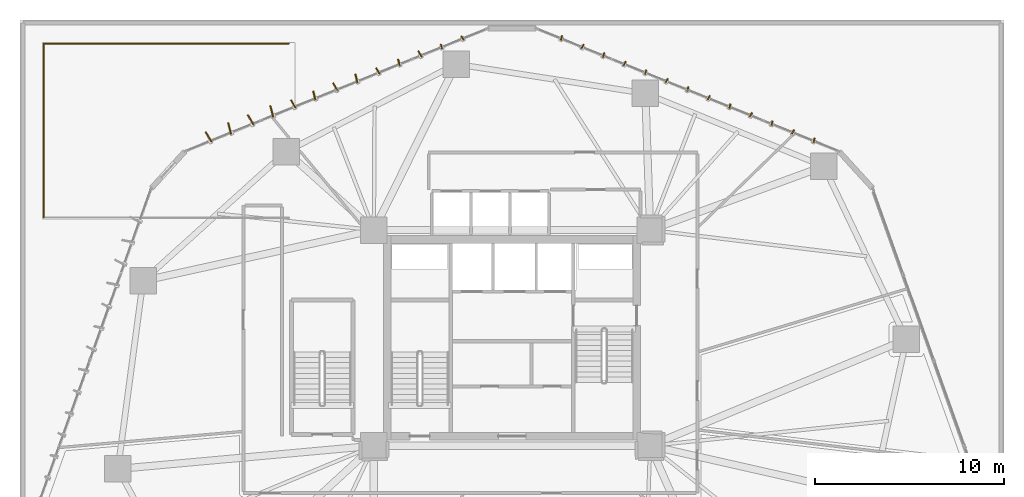
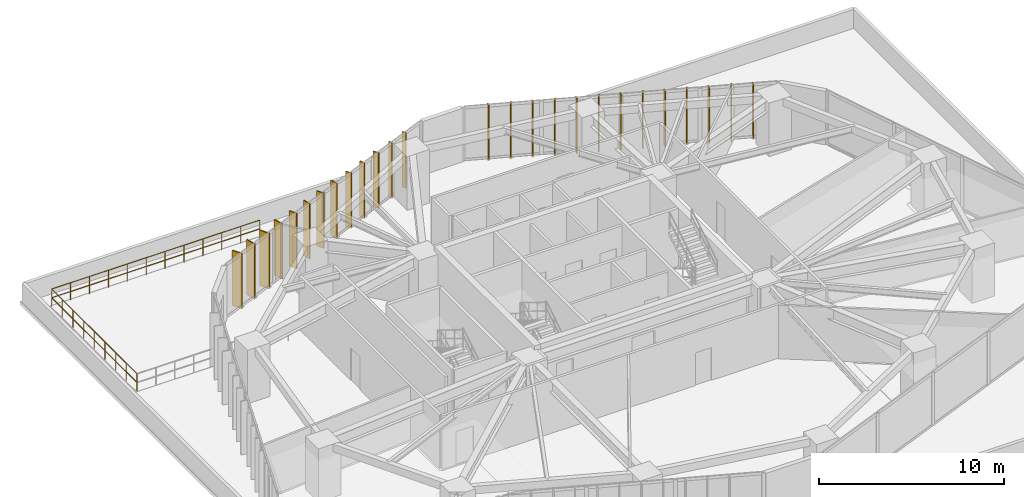
# One storey, part 23 of 23: 26 shading devices, 2 railings.
"""IFC4 building model written with IfcOpenShell, lengths in metres."""

from ifc_helpers import new_model, si_unit, direction, frame, origin, origin_2d, place, context, subcontext, project, spatial, rectangle, circle, extrude, source, transform, mapped, material, layer, layer_set, type_object, type_shapes, element, save


model = new_model("IFC4")

# Units and contexts
model_context = context("Model", 3, precision=1e-05, world=origin(), true_north=direction((0.0, 1.0)))
body_context = subcontext(model_context, "Body", "Model", "MODEL_VIEW")
ifc_project = project(units=[si_unit("LENGTHUNIT", "METRE"), si_unit("AREAUNIT", "SQUARE_METRE"), si_unit("VOLUMEUNIT", "CUBIC_METRE"), si_unit("PLANEANGLEUNIT", "RADIAN"), si_unit("MASSUNIT", "GRAM", prefix="KILO")], contexts=[model_context])

# Site, building, storey
site_placement = place(None, origin())
site = spatial("IfcSite", under=ifc_project, at=site_placement, CompositionType="ELEMENT")
building_placement = place(site_placement, origin())
building = spatial("IfcBuilding", under=site, at=building_placement, Name="Talar Marvaseh", CompositionType="ELEMENT")
storey_placement = place(building_placement, frame((0.0, 0.0, 24.0)))
storey = spatial("IfcBuildingStorey", under=building, at=storey_placement, Name="L05", CompositionType="ELEMENT", Elevation=24.0)

# Railings
ifc_material_1 = material(Name="Tempered Clear Glass", Category="glass")
railing_type = type_object("IfcRailingType", Name="External Laminated Glass Terrace Balustrade 1150", PredefinedType="BALUSTRADE", material=ifc_material_1)
railing_1_placement = place(storey_placement, frame((1.25, 37.550048828125, 0.0)))
element("IfcRailing", 1, at=railing_1_placement, inside=storey, type_object=railing_type, Name="L05 Podium Roof Garden Terrace Balustrade 2", PredefinedType="BALUSTRADE", context=body_context, shape_type="SweptSolid", body=[
    extrude(circle(Radius=0.02392578125, at=origin_2d()), frame((0.0, 0.0, 1.1259765625), z_axis=(0.0, 1.0, 0.0), x_axis=(-1.0, 0.0, 0.0)), (0.0, 0.0, 1.0), 9.199951171875),
    extrude(circle(Radius=0.02392578125, at=origin_2d()), frame((0.0, 0.0, 0.55078125), z_axis=(0.0, 1.0, 0.0), x_axis=(-1.0, 0.0, 0.0)), (0.0, 0.0, 1.0), 9.199951171875),
    extrude(circle(Radius=0.02099609375, at=origin_2d()), origin(), (0.0, 0.0, 1.0), 1.101806640625),
    extrude(circle(Radius=0.02099609375, at=origin_2d()), frame((0.0, 1.14990234375, 0.0)), (0.0, 0.0, 1.0), 1.101806640625),
    extrude(circle(Radius=0.02099609375, at=origin_2d()), frame((0.0, 2.300048828125, 0.0)), (0.0, 0.0, 1.0), 1.101806640625),
    extrude(circle(Radius=0.02099609375, at=origin_2d()), frame((0.0, 3.449951171875, 0.0)), (0.0, 0.0, 1.0), 1.101806640625),
    extrude(circle(Radius=0.02099609375, at=origin_2d()), frame((0.0, 4.60009765625, 0.0)), (0.0, 0.0, 1.0), 1.101806640625),
    extrude(circle(Radius=0.02099609375, at=origin_2d()), frame((0.0, 5.75, 0.0)), (0.0, 0.0, 1.0), 1.101806640625),
    extrude(circle(Radius=0.02099609375, at=origin_2d()), frame((0.0, 6.89990234375, 0.0)), (0.0, 0.0, 1.0), 1.101806640625),
    extrude(circle(Radius=0.02099609375, at=origin_2d()), frame((0.0, 8.050048828125, 0.0)), (0.0, 0.0, 1.0), 1.101806640625),
    extrude(circle(Radius=0.02099609375, at=origin_2d()), frame((0.0, 9.199951171875, 0.0)), (0.0, 0.0, 1.0), 1.101806640625),
])
railing_2_placement = place(storey_placement, frame((1.25, 46.75, 0.0)))
element("IfcRailing", 2, at=railing_2_placement, inside=storey, type_object=railing_type, Name="L05 Podium Roof Garden Terrace Balustrade 3", PredefinedType="BALUSTRADE", context=body_context, shape_type="SweptSolid", body=[
    extrude(circle(Radius=0.02392578125, at=origin_2d()), frame((0.0, 0.0, 1.1259765625), z_axis=(1.0, 0.0, 0.0), x_axis=(0.0, 1.0, 0.0)), (0.0, 0.0, 1.0), 12.949951171875),
    extrude(circle(Radius=0.02392578125, at=origin_2d()), frame((0.0, 0.0, 0.55078125), z_axis=(1.0, 0.0, 0.0), x_axis=(0.0, 1.0, 0.0)), (0.0, 0.0, 1.0), 12.949951171875),
    extrude(circle(Radius=0.02099609375, at=origin_2d()), origin(), (0.0, 0.0, 1.0), 1.101806640625),
    extrude(circle(Radius=0.02099609375, at=origin_2d()), frame((1.17724609375, 0.0, 0.0)), (0.0, 0.0, 1.0), 1.101806640625),
    extrude(circle(Radius=0.02099609375, at=origin_2d()), frame((2.3544921875, 0.0, 0.0)), (0.0, 0.0, 1.0), 1.101806640625),
    extrude(circle(Radius=0.02099609375, at=origin_2d()), frame((3.53173828125, 0.0, 0.0)), (0.0, 0.0, 1.0), 1.101806640625),
    extrude(circle(Radius=0.02099609375, at=origin_2d()), frame((4.708984375, 0.0, 0.0)), (0.0, 0.0, 1.0), 1.101806640625),
    extrude(circle(Radius=0.02099609375, at=origin_2d()), frame((5.88623046875, 0.0, 0.0)), (0.0, 0.0, 1.0), 1.101806640625),
    extrude(circle(Radius=0.02099609375, at=origin_2d()), frame((7.063720703125, 0.0, 0.0)), (0.0, 0.0, 1.0), 1.101806640625),
    extrude(circle(Radius=0.02099609375, at=origin_2d()), frame((8.240966796875, 0.0, 0.0)), (0.0, 0.0, 1.0), 1.101806640625),
    extrude(circle(Radius=0.02099609375, at=origin_2d()), frame((9.418212890625, 0.0, 0.0)), (0.0, 0.0, 1.0), 1.101806640625),
    extrude(circle(Radius=0.02099609375, at=origin_2d()), frame((10.595458984375, 0.0, 0.0)), (0.0, 0.0, 1.0), 1.101806640625),
    extrude(circle(Radius=0.02099609375, at=origin_2d()), frame((11.772705078125, 0.0, 0.0)), (0.0, 0.0, 1.0), 1.101806640625),
    extrude(circle(Radius=0.02099609375, at=origin_2d()), frame((12.949951171875, 0.0, 0.0)), (0.0, 0.0, 1.0), 1.101806640625),
])

# Shading devices
ifc_material_2 = material(Name="Anodised Champagne Bronze Aluminium", Category="aluminium")
ifc_layer_1 = layer(ifc_material_2, 0.06494140625)
ifc_layer_set_1 = layer_set([ifc_layer_1], Name="Anodised Champagne Bronze Aluminium")
shading_device_type_1 = type_object("IfcShadingDeviceType", Name="Sawtooth Champagne Bronze Vertical Fin 240", PredefinedType="USERDEFINED", material=ifc_layer_set_1)
shared_shape_1 = source(origin(), body_context, "Body", "SweptSolid", [
    extrude(rectangle(XDim=0.239990234375, YDim=0.06494140625, at=origin_2d()), origin(), (0.0, 0.0, 1.0), 3.639892578125),
])
type_shapes(shading_device_type_1, [shared_shape_1])
for number, where, z_axis, x_axis, name in (
    (3, (22.27099609375, 46.6015625, -0.1201171875), (0.0, 0.0, 1.0), (-0.243107154615, 0.969999438853, 0.0), "L05 Sawtooth Vertical Solar Fin"),
    (4, (23.383056640625, 47.052490234375, -0.1201171875), (0.0, 0.0, 1.0), (-0.50105767621, 0.865413892373, 0.0), "L05 Sawtooth Vertical Solar Fin"),
    (5, (28.616943359375, 47.052490234375, -0.1201171875), (0.0, 0.0, 1.0), (0.243107154615, 0.969999438853, 0.0), "L05 Sawtooth Vertical Solar Fin"),
    (6, (29.72900390625, 46.6015625, -0.1201171875), (0.0, 0.0, 1.0), (0.50105767621, 0.865413892373, 0.0), "L05 Sawtooth Vertical Solar Fin"),
    (7, (30.841064453125, 46.150634765625, -0.1201171875), (0.0, 0.0, 1.0), (0.243107154615, 0.969999438853, 0.0), "L05 Sawtooth Vertical Solar Fin"),
    (8, (31.953125, 45.69970703125, -0.1201171875), (0.0, 0.0, 1.0), (0.50105767621, 0.865413892373, 0.0), "L05 Sawtooth Vertical Solar Fin"),
    (9, (33.065185546875, 45.2490234375, -0.1201171875), (0.0, 0.0, 1.0), (0.243107154615, 0.969999438853, 0.0), "L05 Sawtooth Vertical Solar Fin"),
    (10, (34.177490234375, 44.798095703125, -0.1201171875), (0.0, 0.0, 1.0), (0.50105767621, 0.865413892373, 0.0), "L05 Sawtooth Vertical Solar Fin"),
    (11, (35.289306640625, 44.347412109375, -0.1201171875), (0.0, 0.0, 1.0), (0.243107154615, 0.969999438853, 0.0), "L05 Sawtooth Vertical Solar Fin"),
    (12, (36.401611328125, 43.896484375, -0.1201171875), (0.0, 0.0, 1.0), (0.50105767621, 0.865413892373, 0.0), "L05 Sawtooth Vertical Solar Fin"),
    (13, (37.513671875, 43.445556640625, -0.1201171875), (0.0, 0.0, 1.0), (0.243107154615, 0.969999438853, 0.0), "L05 Sawtooth Vertical Solar Fin"),
    (14, (38.625732421875, 42.994873046875, -0.1201171875), (0.0, 0.0, 1.0), (0.50105767621, 0.865413892373, 0.0), "L05 Sawtooth Vertical Solar Fin"),
    (15, (39.73779296875, 42.5439453125, -0.1201171875), (0.0, 0.0, 1.0), (0.243107154615, 0.969999438853, 0.0), "L05 Sawtooth Vertical Solar Fin"),
    (16, (40.849853515625, 42.093017578125, -0.1201171875), (0.0, 0.0, 1.0), (0.50105767621, 0.865413892373, 0.0), "L05 Sawtooth Vertical Solar Fin"),
    (17, (41.9619140625, 41.64208984375, -0.1201171875), (0.0, 0.0, 1.0), (0.243107154615, 0.969999438853, 0.0), "L05 Sawtooth Vertical Solar Fin"),
):
    element("IfcShadingDevice", number, at=place(storey_placement, frame(where, z_axis=z_axis, x_axis=x_axis)), inside=storey, type_object=shading_device_type_1, Name=name, ObjectType="FIN", PredefinedType="USERDEFINED", context=body_context, shape_type="MappedRepresentation", body=[
        mapped(shared_shape_1, transform((0.0, 0.0, 0.0), x_axis=(1.0, 0.0, 0.0), y_axis=(0.0, 1.0, 0.0), z_axis=(0.0, 0.0, 1.0), scale=1.0)),
    ])
ifc_layer_2 = layer(ifc_material_2, 0.06494140625)
ifc_layer_set_2 = layer_set([ifc_layer_2], Name="Anodised Champagne Bronze Aluminium")
shading_device_type_2 = type_object("IfcShadingDeviceType", Name="Sawtooth Champagne Bronze Vertical Fin 360", PredefinedType="USERDEFINED", material=ifc_layer_set_2)
shared_shape_2 = source(origin(), body_context, "Body", "SweptSolid", [
    extrude(rectangle(XDim=0.360107421875, YDim=0.06494140625, at=origin_2d()), origin(), (0.0, 0.0, 1.0), 3.639892578125),
])
type_shapes(shading_device_type_2, [shared_shape_2])
for number, where, z_axis, x_axis, name in (
    (18, (18.912109375, 45.3046875, -0.1201171875), (0.0, 0.0, 1.0), (-0.50105767621, 0.865413892373, 0.0), "L05 Sawtooth Vertical Solar Fin"),
    (19, (20.0244140625, 45.755615234375, -0.1201171875), (0.0, 0.0, 1.0), (-0.243107154615, 0.969999438853, 0.0), "L05 Sawtooth Vertical Solar Fin"),
    (20, (21.136474609375, 46.206298828125, -0.1201171875), (0.0, 0.0, 1.0), (-0.50105767621, 0.865413892373, 0.0), "L05 Sawtooth Vertical Solar Fin"),
):
    element("IfcShadingDevice", number, at=place(storey_placement, frame(where, z_axis=z_axis, x_axis=x_axis)), inside=storey, type_object=shading_device_type_2, Name=name, ObjectType="FIN", PredefinedType="USERDEFINED", context=body_context, shape_type="MappedRepresentation", body=[
        mapped(shared_shape_2, transform((0.0, 0.0, 0.0), x_axis=(1.0, 0.0, 0.0), y_axis=(0.0, 1.0, 0.0), z_axis=(0.0, 0.0, 1.0), scale=1.0)),
    ])
ifc_layer_3 = layer(ifc_material_2, 0.06494140625)
ifc_layer_set_3 = layer_set([ifc_layer_3], Name="Anodised Champagne Bronze Aluminium")
shading_device_type_3 = type_object("IfcShadingDeviceType", Name="Sawtooth Champagne Bronze Vertical Fin 480", PredefinedType="USERDEFINED", material=ifc_layer_set_3)
shared_shape_3 = source(origin(), body_context, "Body", "SweptSolid", [
    extrude(rectangle(XDim=0.47998046875, YDim=0.06494140625, at=origin_2d()), origin(), (0.0, 0.0, 1.0), 3.639892578125),
])
type_shapes(shading_device_type_3, [shared_shape_3])
for number, where, z_axis, x_axis, name in (
    (21, (14.44140625, 43.556884765625, -0.1201171875), (0.0, 0.0, 1.0), (-0.50105767621, 0.865413892373, 0.0), "L05 Sawtooth Vertical Solar Fin"),
    (22, (15.553466796875, 44.0078125, -0.1201171875), (0.0, 0.0, 1.0), (-0.243107154615, 0.969999438853, 0.0), "L05 Sawtooth Vertical Solar Fin"),
    (23, (16.66552734375, 44.45849609375, -0.1201171875), (0.0, 0.0, 1.0), (-0.50105767621, 0.865413892373, 0.0), "L05 Sawtooth Vertical Solar Fin"),
    (24, (17.777587890625, 44.909423828125, -0.1201171875), (0.0, 0.0, 1.0), (-0.243107154615, 0.969999438853, 0.0), "L05 Sawtooth Vertical Solar Fin"),
):
    element("IfcShadingDevice", number, at=place(storey_placement, frame(where, z_axis=z_axis, x_axis=x_axis)), inside=storey, type_object=shading_device_type_3, Name=name, ObjectType="FIN", PredefinedType="USERDEFINED", context=body_context, shape_type="MappedRepresentation", body=[
        mapped(shared_shape_3, transform((0.0, 0.0, 0.0), x_axis=(1.0, 0.0, 0.0), y_axis=(0.0, 1.0, 0.0), z_axis=(0.0, 0.0, 1.0), scale=1.0)),
    ])
ifc_layer_4 = layer(ifc_material_2, 0.06494140625)
ifc_layer_set_4 = layer_set([ifc_layer_4], Name="Anodised Champagne Bronze Aluminium")
shading_device_type_4 = type_object("IfcShadingDeviceType", Name="Sawtooth Champagne Bronze Vertical Fin 620", PredefinedType="USERDEFINED", material=ifc_layer_set_4)
shared_shape_4 = source(origin(), body_context, "Body", "SweptSolid", [
    extrude(rectangle(XDim=0.6201171875, YDim=0.06494140625, at=origin_2d()), origin(), (0.0, 0.0, 1.0), 3.639892578125),
])
type_shapes(shading_device_type_4, [shared_shape_4])
for number, where, z_axis, x_axis, name in (
    (25, (9.966552734375, 41.818359375, -0.1201171875), (0.0, 0.0, 1.0), (-0.50105767621, 0.865413892373, 0.0), "L05 Sawtooth Vertical Solar Fin"),
    (26, (11.07861328125, 42.269287109375, -0.1201171875), (0.0, 0.0, 1.0), (-0.243107154615, 0.969999438853, 0.0), "L05 Sawtooth Vertical Solar Fin"),
    (27, (12.19091796875, 42.719970703125, -0.1201171875), (0.0, 0.0, 1.0), (-0.50105767621, 0.865413892373, 0.0), "L05 Sawtooth Vertical Solar Fin"),
    (28, (13.302978515625, 43.1708984375, -0.1201171875), (0.0, 0.0, 1.0), (-0.243107154615, 0.969999438853, 0.0), "L05 Sawtooth Vertical Solar Fin"),
):
    element("IfcShadingDevice", number, at=place(storey_placement, frame(where, z_axis=z_axis, x_axis=x_axis)), inside=storey, type_object=shading_device_type_4, Name=name, ObjectType="FIN", PredefinedType="USERDEFINED", context=body_context, shape_type="MappedRepresentation", body=[
        mapped(shared_shape_4, transform((0.0, 0.0, 0.0), x_axis=(1.0, 0.0, 0.0), y_axis=(0.0, 1.0, 0.0), z_axis=(0.0, 0.0, 1.0), scale=1.0)),
    ])

save(model, "model.ifc")
